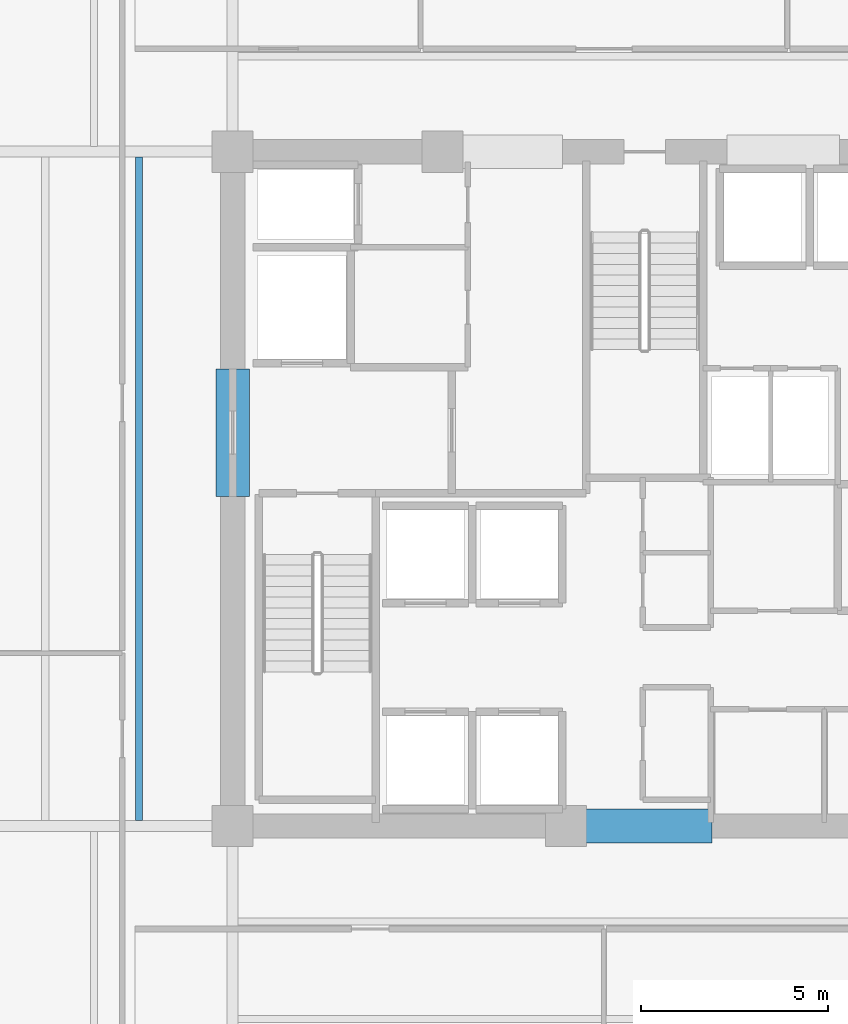
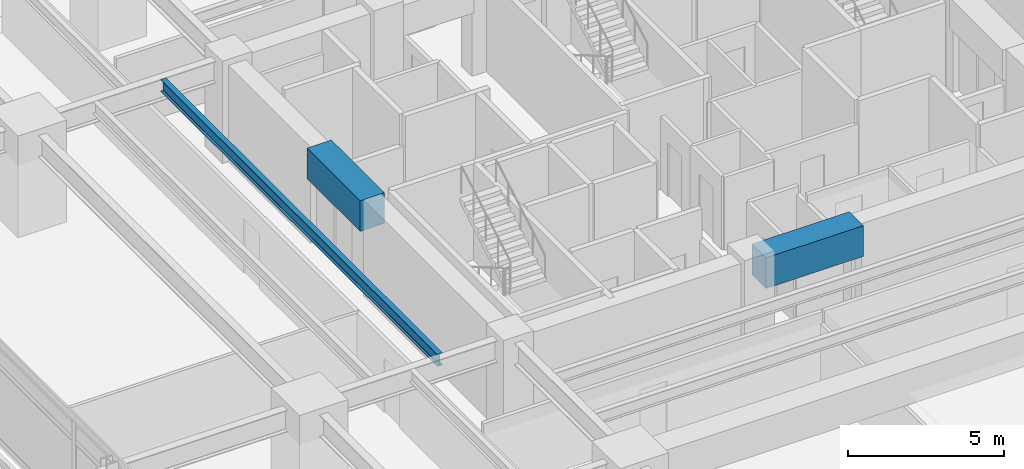
# One storey, part 8 of 21: 3 beams.
"""IFC4 building model written with IfcOpenShell, lengths in metres."""

import ifcopenshell
import ifcopenshell.guid

model = None  # the IFC model being written
_history = None  # IfcOwnerHistory: only IFC2X3 demands one
_inside = {}  # id of a spatial element -> (the spatial element, [elements in it])
_under = {}  # id of a project, library or spatial element -> (it, [spatial elements below it])
_declared = {}  # id of a project -> (the project, [libraries it declares])
_typed = {}  # id of a type object -> (the type object, [elements of that type])
_made_of = {}  # id of a material, layer set ... -> (it, [elements and type objects made of it])


def new_model(schema):
    """Start an empty IFC model of exactly this schema.

    Asked for "IFC4X3", IfcOpenShell would pick the latest addendum, in which some entities
    have other attributes; the version numbers below select the first issue.
    IFC2X3 requires an IfcOwnerHistory on every rooted entity: one is made here for all.
    """
    global model, _history
    if schema == "IFC4X3":
        model = ifcopenshell.file(schema_version=(4, 3, 0, 0))
    else:
        model = ifcopenshell.file(schema=schema)
    _inside.clear()
    _under.clear()
    _declared.clear()
    _typed.clear()
    _made_of.clear()
    _history = None
    if model.schema == "IFC2X3":
        org = make("IfcOrganization", Name="unknown")
        user = make(
            "IfcPersonAndOrganization",
            ThePerson=make("IfcPerson", FamilyName="unknown"),
            TheOrganization=org,
        )
        app = make(
            "IfcApplication",
            ApplicationDeveloper=org,
            Version="unknown",
            ApplicationFullName="unknown",
            ApplicationIdentifier="unknown",
        )
        _history = make(
            "IfcOwnerHistory",
            OwningUser=user,
            OwningApplication=app,
            ChangeAction="ADDED",
            CreationDate=0,
        )
    return model


def make(cls, **values):
    """One entity of the class cls with the attributes given. An attribute that is None is left unset."""
    return model.create_entity(
        cls, **{name: value for name, value in values.items() if value is not None}
    )


def rooted(cls, **values):
    """An entity with a GlobalId (a new one), such as an element, a storey or a relation."""
    return make(cls, GlobalId=ifcopenshell.guid.new(), OwnerHistory=_history, **values)


def si_unit(unit_type, name, prefix=None):
    """IfcSIUnit, for example si_unit("LENGTHUNIT", "METRE", prefix="MILLI")."""
    return make("IfcSIUnit", UnitType=unit_type, Prefix=prefix, Name=name)


def assignment(units):
    """IfcUnitAssignment: the units of a project."""
    return None if units is None else make("IfcUnitAssignment", Units=units)


def point(xyz):
    """IfcCartesianPoint."""
    return None if xyz is None else make("IfcCartesianPoint", Coordinates=xyz)


def direction(xyz):
    """IfcDirection."""
    return None if xyz is None else make("IfcDirection", DirectionRatios=xyz)


def frame(location, z_axis=None, x_axis=None):
    """IfcAxis2Placement3D, a coordinate frame: its origin and axes. An axis left out is left unset."""
    return make(
        "IfcAxis2Placement3D",
        Location=point(location),
        Axis=direction(z_axis),
        RefDirection=direction(x_axis),
    )


def frame_2d(location, x_axis=None):
    """IfcAxis2Placement2D, a coordinate frame in the plane: its origin and x axis."""
    return make(
        "IfcAxis2Placement2D", Location=point(location), RefDirection=direction(x_axis)
    )


def origin():
    """The frame at (0, 0, 0) with its axes left unset."""
    return frame((0.0, 0.0, 0.0))


def origin_2d():
    """The frame at (0, 0) in the plane with its x axis left unset."""
    return frame_2d((0.0, 0.0))


def place(relative_to, where):
    """IfcLocalPlacement: puts the frame where relative to a parent placement (None: the world)."""
    return make(
        "IfcLocalPlacement", PlacementRelTo=relative_to, RelativePlacement=where
    )


def context(
    kind, dimensions, precision=None, world=None, true_north=None, identifier=None
):
    """IfcGeometricRepresentationContext, for example the 3D "Model" context."""
    return make(
        "IfcGeometricRepresentationContext",
        ContextIdentifier=identifier,
        ContextType=kind,
        CoordinateSpaceDimension=dimensions,
        Precision=precision,
        WorldCoordinateSystem=world,
        TrueNorth=true_north,
    )


def subcontext(parent, identifier, kind, view, scale=None):
    """IfcGeometricRepresentationSubContext, for example "Body" below "Model"."""
    return make(
        "IfcGeometricRepresentationSubContext",
        ContextIdentifier=identifier,
        ContextType=kind,
        ParentContext=parent,
        TargetScale=scale,
        TargetView=view,
    )


def project(units=None, contexts=None):
    """IfcProject with its units and contexts."""
    return rooted(
        "IfcProject",
        Name="project",
        RepresentationContexts=contexts,
        UnitsInContext=assignment(units),
    )


def spatial(cls, under=None, at=None, **own):
    """A site, building, storey or space (cls), placed at a placement, below another one or the project."""
    s = rooted(cls, ObjectPlacement=at, **own)
    if under is not None:
        _under.setdefault(under.id(), (under, []))[1].append(s)
    return s


def profile(cls, at=None, kind="AREA", **sizes):
    """A parametric profile (cls). Its sizes go by their IFC names, for example OverallWidth=200.0."""
    return make(cls, ProfileType=kind, Position=at, **sizes)


def rectangle(**sizes):
    """IfcRectangleProfileDef."""
    return profile("IfcRectangleProfileDef", **sizes)


def i_section(**sizes):
    """IfcIShapeProfileDef."""
    return profile("IfcIShapeProfileDef", **sizes)


def extrude(swept, where, along, depth):
    """IfcExtrudedAreaSolid: the profile swept, set in the frame where, extruded along a direction by depth."""
    return make(
        "IfcExtrudedAreaSolid",
        SweptArea=swept,
        Position=where,
        ExtrudedDirection=direction(along),
        Depth=depth,
    )


def shape(context_of_items, identifier, shape_type, items):
    """IfcShapeRepresentation: the items that make up one representation, for example the "Body"."""
    return make(
        "IfcShapeRepresentation",
        ContextOfItems=context_of_items,
        RepresentationIdentifier=identifier,
        RepresentationType=shape_type,
        Items=items,
    )


def material(Name=None, Category=None):
    """IfcMaterial."""
    return make("IfcMaterial", Name=Name, Category=Category)


def material_profile(
    of_material, cross_section, Name=None, Category=None, Priority=None
):
    """IfcMaterialProfile: a cross section and its material."""
    return make(
        "IfcMaterialProfile",
        Name=Name,
        Material=of_material,
        Profile=cross_section,
        Priority=Priority,
        Category=Category,
    )


def profile_set(profiles, Name=None, composite=None):
    """IfcMaterialProfileSet."""
    return make(
        "IfcMaterialProfileSet",
        Name=Name,
        MaterialProfiles=profiles,
        CompositeProfile=composite,
    )


def made_of(thing, what):
    """Note that an element or type object is made of a material, layer set ...; save() writes the relation."""
    if what is not None:
        _made_of.setdefault(what.id(), (what, []))[1].append(thing)
    return thing


def type_object(cls, material=None, **own):
    """A type object (cls), such as IfcWallType, which elements share."""
    return made_of(rooted(cls, **own), material)


def element(
    cls,
    number,
    at=None,
    inside=None,
    cuts=None,
    type_object=None,
    material=None,
    context=None,
    identifier="Body",
    shape_type=None,
    held_by="IfcProductDefinitionShape",
    body=None,
    shapes=None,
    **own,
):
    """One element of the class cls, such as IfcWall. Its Tag is "e" and its number.

    at: its placement. inside: the storey or other place that contains it. cuts: it is an
    opening in that element (IfcRelVoidsElement). A single representation is given by context,
    identifier, shape_type and body (its items); several are given by shapes. held_by: the class
    of the entity that holds the representations. save() writes the other relations.
    """
    e = rooted(cls, Tag="e%d" % number, ObjectPlacement=at, **own)
    if body is not None:
        shapes = [shape(context, identifier, shape_type, body)]
    if shapes is not None:
        e.Representation = make(held_by, Representations=shapes)
    if inside is not None:
        _inside.setdefault(inside.id(), (inside, []))[1].append(e)
    if cuts is not None:
        rooted(
            "IfcRelVoidsElement", RelatingBuildingElement=cuts, RelatedOpeningElement=e
        )
    if type_object is not None:
        _typed.setdefault(type_object.id(), (type_object, []))[1].append(e)
    return made_of(e, material)


def aggregate(whole, parts):
    """IfcRelAggregates: a whole, such as a stair, and the parts it consists of."""
    return rooted("IfcRelAggregates", RelatingObject=whole, RelatedObjects=parts)


def save(model, path):
    """Write the relations noted so far, then the file.

    IfcRelAggregates (storeys below a building ...), IfcRelContainedInSpatialStructure (elements
    in a storey), IfcRelDefinesByType, IfcRelAssociatesMaterial and IfcRelDeclares: one each for
    every whole, place, type object, material and project.
    """
    for whole, parts in _under.values():
        aggregate(whole, parts)
    for where, things in _inside.values():
        rooted(
            "IfcRelContainedInSpatialStructure",
            RelatedElements=things,
            RelatingStructure=where,
        )
    for kind, things in _typed.values():
        rooted("IfcRelDefinesByType", RelatedObjects=things, RelatingType=kind)
    for what, things in _made_of.values():
        rooted("IfcRelAssociatesMaterial", RelatedObjects=things, RelatingMaterial=what)
    for by, libraries in _declared.values():
        rooted("IfcRelDeclares", RelatingContext=by, RelatedDefinitions=libraries)
    model.write(path)


model = new_model("IFC4")

# Units and contexts
model_context = context("Model", 3, precision=1e-05, world=origin(), true_north=direction((0.0, 1.0)))
body_context = subcontext(model_context, "Body", "Model", "MODEL_VIEW")
ifc_project = project(units=[si_unit("LENGTHUNIT", "METRE"), si_unit("AREAUNIT", "SQUARE_METRE"), si_unit("VOLUMEUNIT", "CUBIC_METRE"), si_unit("PLANEANGLEUNIT", "RADIAN"), si_unit("MASSUNIT", "GRAM", prefix="KILO")], contexts=[model_context])

# Site, building, storey
site_placement = place(None, origin())
site = spatial("IfcSite", under=ifc_project, at=site_placement, CompositionType="ELEMENT")
building_placement = place(site_placement, origin())
building = spatial("IfcBuilding", under=site, at=building_placement, Name="Kovane Verandah Tower", CompositionType="ELEMENT")
storey_placement = place(building_placement, frame((0.0, 0.0, 47.60009765625)))
storey = spatial("IfcBuildingStorey", under=building, at=storey_placement, Name="L10", CompositionType="ELEMENT", Elevation=47.60009765625)

# Beams
ifc_material_1 = material(Name="Concrete C80/95", Category="concrete")
ifc_material_profile_1 = material_profile(ifc_material_1, rectangle(XDim=0.89990234375, YDim=1.199951171875, at=origin_2d()), Name="RCB900x1200")
ifc_profile_set_1 = profile_set([ifc_material_profile_1], Name="Concrete C80/95")
beam_type_1 = type_object("IfcBeamType", Name="BM-LINTEL-900x1200", PredefinedType="LINTEL", material=ifc_profile_set_1)
beam_1_placement = place(storey_placement, frame((38.199951171875, 18.5, 3.159912109375), z_axis=(1.0, 0.0, 0.0), x_axis=(0.0, 1.0, 0.0)))
element("IfcBeam", 1, at=beam_1_placement, inside=storey, type_object=beam_type_1, Name="L10 Core Coupling Lintel CL-S", PredefinedType="LINTEL", context=body_context, shape_type="SweptSolid", body=[
    extrude(rectangle(XDim=0.89990234375, YDim=1.199951171875, at=origin_2d()), origin(), (0.0, 0.0, 1.0), 3.60009765625),
])
beam_2_placement = place(storey_placement, frame((29.0, 27.300048828125, 3.159912109375), z_axis=(0.0, 1.0, 0.0), x_axis=(-1.0, 0.0, 0.0)))
element("IfcBeam", 2, at=beam_2_placement, inside=storey, type_object=beam_type_1, Name="L10 Core Coupling Lintel CL-W", PredefinedType="LINTEL", context=body_context, shape_type="SweptSolid", body=[
    extrude(rectangle(XDim=0.89990234375, YDim=1.199951171875, at=origin_2d()), origin(), (0.0, 0.0, 1.0), 3.39990234375),
])
ifc_material_2 = material(Name="Steel S355", Category="steel")
ifc_material_profile_2 = material_profile(ifc_material_2, i_section(OverallWidth=0.19287109375, OverallDepth=0.46728515625, WebThickness=0.011474609375, FlangeThickness=0.01953125, FilletRadius=0.01025390625, at=origin_2d()), Name="UB457x191x98")
ifc_profile_set_2 = profile_set([ifc_material_profile_2], Name="Steel S355")
beam_type_2 = type_object("IfcBeamType", Name="JST-UB457x98", PredefinedType="JOIST", material=ifc_profile_set_2)
beam_3_placement = place(storey_placement, frame((26.5, 18.64501953125, 3.5263671875), z_axis=(0.0, 1.0, 0.0), x_axis=(-1.0, 0.0, 0.0)))
element("IfcBeam", 3, at=beam_3_placement, inside=storey, type_object=beam_type_2, Name="L10 Secondary Composite Joist J-W2", PredefinedType="JOIST", context=body_context, shape_type="SweptSolid", body=[
    extrude(i_section(OverallWidth=0.19287109375, OverallDepth=0.46728515625, WebThickness=0.011474609375, FlangeThickness=0.01953125, FilletRadius=0.01025390625, at=origin_2d()), origin(), (0.0, 0.0, 1.0), 17.7099609375),
])

save(model, "model.ifc")
